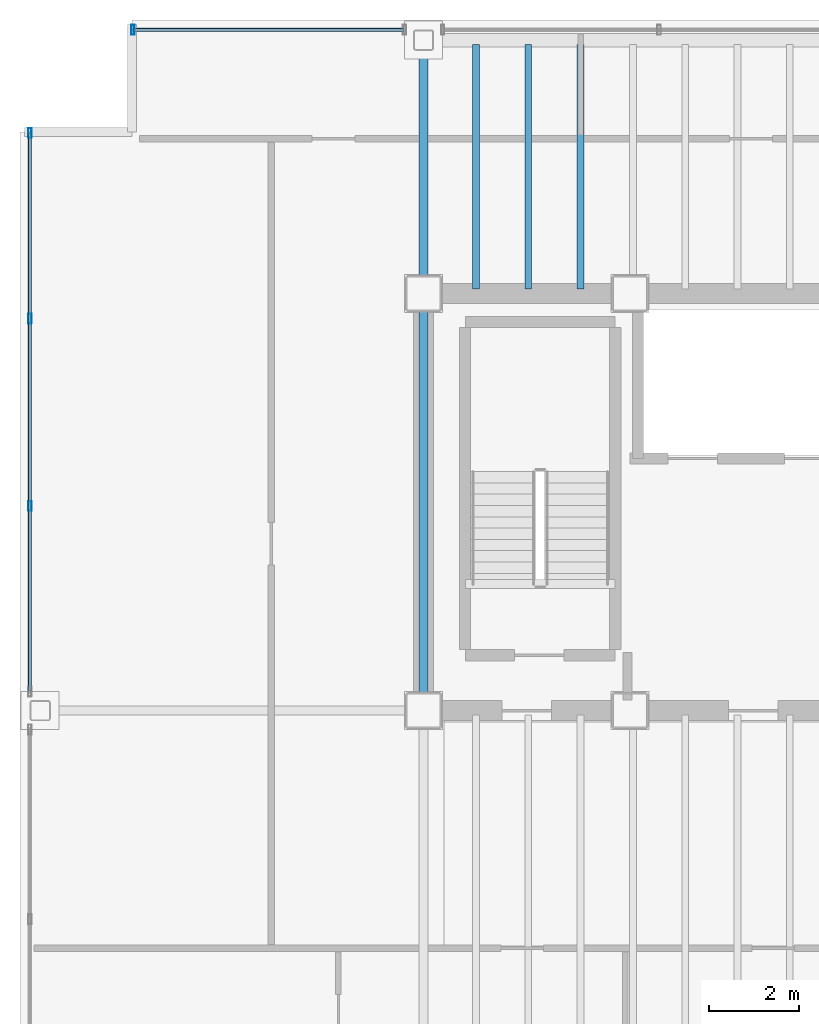
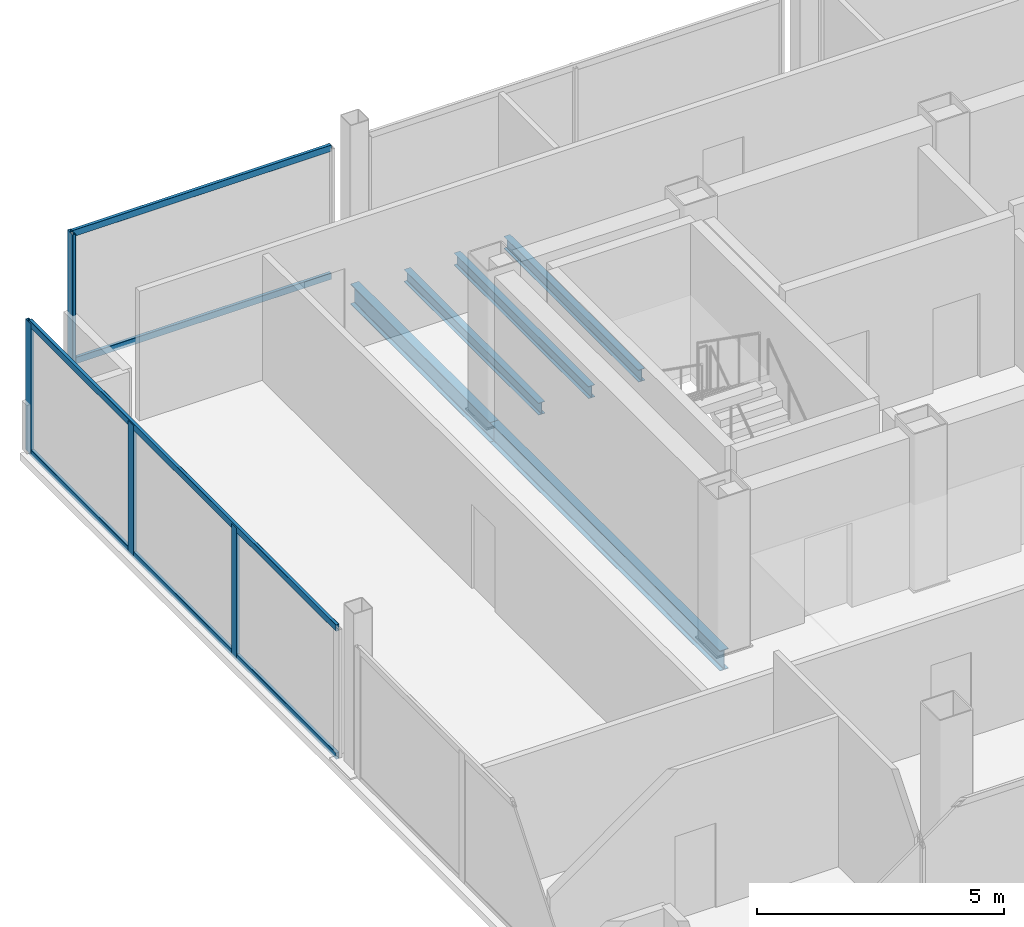
# One storey, part 8 of 17: 8 members, 5 beams, 2 elements without a shape of their own.
"""IFC4 building model written with IfcOpenShell, lengths in metres."""

from ifc_helpers import new_model, si_unit, direction, frame, origin, origin_2d, place, context, subcontext, project, spatial, hollow_rectangle, i_section, extrude, material, material_profile, profile_set, type_object, element, aggregate, save


model = new_model("IFC4")

# Units and contexts
model_context = context("Model", 3, precision=1e-05, world=origin(), true_north=direction((0.0, 1.0)))
body_context = subcontext(model_context, "Body", "Model", "MODEL_VIEW")
ifc_project = project(units=[si_unit("LENGTHUNIT", "METRE"), si_unit("AREAUNIT", "SQUARE_METRE"), si_unit("VOLUMEUNIT", "CUBIC_METRE"), si_unit("PLANEANGLEUNIT", "RADIAN"), si_unit("MASSUNIT", "GRAM", prefix="KILO")], contexts=[model_context])

# Site, building, storey
site_placement = place(None, origin())
site = spatial("IfcSite", under=ifc_project, at=site_placement, CompositionType="ELEMENT")
building_placement = place(site_placement, origin())
building = spatial("IfcBuilding", under=site, at=building_placement, Name="Noeulbin Bourse Tower", CompositionType="ELEMENT")
storey_placement = place(building_placement, frame((0.0, 0.0, 265.699951171875)))
storey = spatial("IfcBuildingStorey", under=building, at=storey_placement, Name="L66", CompositionType="ELEMENT", Elevation=265.699951171875)

# Beams
ifc_material_1 = material(Name="Steel S355", Category="steel")
ifc_material_profile_1 = material_profile(ifc_material_1, i_section(OverallWidth=0.199951171875, OverallDepth=0.5, WebThickness=0.010009765625, FlangeThickness=0.01611328125, FilletRadius=0.02001953125, at=origin_2d()), Name="H-500x200x10x16", Category="LoadBearing")
ifc_profile_set_1 = profile_set([ifc_material_profile_1], Name="Steel S355")
beam_type_1 = type_object("IfcBeamType", Name="BM-GRD-500", PredefinedType="USERDEFINED", material=ifc_profile_set_1)
beam_1_placement = place(storey_placement, frame((13.5, 29.0, -0.429931640625), z_axis=(0.0, 1.0, 0.0), x_axis=(-1.0, 0.0, 0.0)))
element("IfcBeam", 1, at=beam_1_placement, inside=storey, type_object=beam_type_1, Name="Tower Primary Girder NS L66-1.3", ObjectType="GIRDER", PredefinedType="USERDEFINED", context=body_context, shape_type="SweptSolid", body=[
    extrude(i_section(OverallWidth=0.199951171875, OverallDepth=0.5, WebThickness=0.010009765625, FlangeThickness=0.01611328125, FilletRadius=0.02001953125, at=origin_2d()), origin(), (0.0, 0.0, 1.0), 9.300048828125),
])
beam_2_placement = place(storey_placement, frame((13.5, 38.300048828125, -0.429931640625), z_axis=(0.0, 1.0, 0.0), x_axis=(-1.0, 0.0, 0.0)))
element("IfcBeam", 2, at=beam_2_placement, inside=storey, type_object=beam_type_1, Name="Tower Primary Girder NS L66-1.4", ObjectType="GIRDER", PredefinedType="USERDEFINED", context=body_context, shape_type="SweptSolid", body=[
    extrude(i_section(OverallWidth=0.199951171875, OverallDepth=0.5, WebThickness=0.010009765625, FlangeThickness=0.01611328125, FilletRadius=0.02001953125, at=origin_2d()), origin(), (0.0, 0.0, 1.0), 5.64990234375),
])
ifc_material_profile_2 = material_profile(ifc_material_1, i_section(OverallWidth=0.14990234375, OverallDepth=0.300048828125, WebThickness=0.006591796875, FlangeThickness=0.009033203125, FilletRadius=0.012939453125, at=origin_2d()), Name="H-300x150x6.5x9", Category="LoadBearing")
ifc_profile_set_2 = profile_set([ifc_material_profile_2], Name="Steel S355")
beam_type_2 = type_object("IfcBeamType", Name="BM-JST-300", PredefinedType="JOIST", material=ifc_profile_set_2)
for number, where, z_axis, x_axis, name in (
    (3, (14.666748046875, 38.39990234375, -0.329833984375), (0.0, 1.0, 0.0), (-1.0, 0.0, 0.0), "Tower Composite Joist L66-02"),
    (4, (15.833251953125, 38.39990234375, -0.329833984375), (0.0, 1.0, 0.0), (-1.0, 0.0, 0.0), "Tower Composite Joist L66-04"),
    (5, (17.0, 38.39990234375, -0.329833984375), (0.0, 1.0, 0.0), (-1.0, 0.0, 0.0), "Tower Composite Joist L66-06"),
):
    element("IfcBeam", number, at=place(storey_placement, frame(where, z_axis=z_axis, x_axis=x_axis)), inside=storey, type_object=beam_type_2, Name=name, PredefinedType="JOIST", context=body_context, shape_type="SweptSolid", body=[
        extrude(i_section(OverallWidth=0.14990234375, OverallDepth=0.300048828125, WebThickness=0.006591796875, FlangeThickness=0.009033203125, FilletRadius=0.012939453125, at=origin_2d()), origin(), (0.0, 0.0, 1.0), 5.4501953125),
    ])

# Curtain wall, member
ifc_material_2 = material(Name="High-Selectivity Low-Iron Glazing", Category="glass")
curtain_wall_type = type_object("IfcCurtainWallType", Name="CW-SYS-4", PredefinedType="NOTDEFINED", material=ifc_material_2)
curtain_wall_1_placement = place(storey_placement, origin())
curtain_wall_1 = element("IfcCurtainWall", 6, at=curtain_wall_1_placement, inside=storey, type_object=curtain_wall_type, Name="Unitised Curtain Wall CW-L66-N-S1", PredefinedType="NOTDEFINED")
ifc_material_3 = material(Name="Anodised Aluminium 6063-T6", Category="aluminium")
ifc_material_profile_3 = material_profile(ifc_material_3, hollow_rectangle(XDim=0.074951171875, YDim=0.219970703125, WallThickness=0.0048828125, InnerFilletRadius=0.00244140625, OuterFilletRadius=0.0048828125, at=origin_2d()), Name="ALU-MULL-75x220x5", Category="LoadBearing")
ifc_profile_set_3 = profile_set([ifc_material_profile_3], Name="Anodised Aluminium 6063-T6")
member_type_1 = type_object("IfcMemberType", Name="CW-SYS-4-MUL", PredefinedType="MULLION", material=ifc_profile_set_3)
member_1_placement = place(storey_placement, frame((7.02001953125, 44.179931640625, -0.02001953125), z_axis=(0.0, 0.0, 1.0), x_axis=(1.0, 0.0, 0.0)))
member_1 = element("IfcMember", 7, at=member_1_placement, type_object=member_type_1, Name="Curtain Wall Mullion CW-L66-N-S1-M00", PredefinedType="MULLION", context=body_context, shape_type="SweptSolid", body=[
    extrude(hollow_rectangle(XDim=0.074951171875, YDim=0.219970703125, WallThickness=0.0048828125, InnerFilletRadius=0.00244140625, OuterFilletRadius=0.0048828125, at=origin_2d()), origin(), (0.0, 0.0, 1.0), 3.219970703125),
])

# Curtain wall, members
curtain_wall_2_placement = place(storey_placement, origin())
curtain_wall_2 = element("IfcCurtainWall", 8, at=curtain_wall_2_placement, inside=storey, type_object=curtain_wall_type, Name="Unitised Curtain Wall CW-L66-W-S2", PredefinedType="NOTDEFINED")
member_2_placement = place(storey_placement, frame((4.719970703125, 33.563232421875, -0.02001953125), z_axis=(0.0, 0.0, 1.0), x_axis=(1.0, 0.0, 0.0)))
member_2 = element("IfcMember", 9, at=member_2_placement, type_object=member_type_1, Name="Curtain Wall Mullion CW-L66-W-S2-M01", PredefinedType="MULLION", context=body_context, shape_type="SweptSolid", body=[
    extrude(hollow_rectangle(XDim=0.074951171875, YDim=0.219970703125, WallThickness=0.0048828125, InnerFilletRadius=0.00244140625, OuterFilletRadius=0.0048828125, at=origin_2d()), origin(), (0.0, 0.0, 1.0), 3.219970703125),
])
member_3_placement = place(storey_placement, frame((4.719970703125, 37.74169921875, -0.02001953125), z_axis=(0.0, 0.0, 1.0), x_axis=(1.0, 0.0, 0.0)))
member_3 = element("IfcMember", 10, at=member_3_placement, type_object=member_type_1, Name="Curtain Wall Mullion CW-L66-W-S2-M02", PredefinedType="MULLION", context=body_context, shape_type="SweptSolid", body=[
    extrude(hollow_rectangle(XDim=0.074951171875, YDim=0.219970703125, WallThickness=0.0048828125, InnerFilletRadius=0.00244140625, OuterFilletRadius=0.0048828125, at=origin_2d()), origin(), (0.0, 0.0, 1.0), 3.219970703125),
])
member_4_placement = place(storey_placement, frame((4.719970703125, 41.8798828125, -0.02001953125), z_axis=(0.0, 0.0, 1.0), x_axis=(1.0, 0.0, 0.0)))
member_4 = element("IfcMember", 11, at=member_4_placement, type_object=member_type_1, Name="Curtain Wall Mullion CW-L66-W-S2-M03", PredefinedType="MULLION", context=body_context, shape_type="SweptSolid", body=[
    extrude(hollow_rectangle(XDim=0.074951171875, YDim=0.219970703125, WallThickness=0.0048828125, InnerFilletRadius=0.00244140625, OuterFilletRadius=0.0048828125, at=origin_2d()), origin(), (0.0, 0.0, 1.0), 3.219970703125),
])

# Member
ifc_material_profile_4 = material_profile(ifc_material_3, hollow_rectangle(XDim=0.074951171875, YDim=0.159912109375, WallThickness=0.0048828125, InnerFilletRadius=0.00244140625, OuterFilletRadius=0.0048828125, at=origin_2d()), Name="ALU-TRAN-75x160x5", Category="LoadBearing")
ifc_profile_set_4 = profile_set([ifc_material_profile_4], Name="Anodised Aluminium 6063-T6")
member_type_2 = type_object("IfcMemberType", Name="CW-SYS-4-TRN", PredefinedType="USERDEFINED", material=ifc_profile_set_4)
member_5_placement = place(storey_placement, frame((7.030029296875, 44.179931640625, 0.010009765625), z_axis=(1.0, 0.0, 0.0), x_axis=(0.0, 1.0, 0.0)))
member_5 = element("IfcMember", 12, at=member_5_placement, type_object=member_type_2, Name="Curtain Wall Transom CW-L66-N-S1-T00", ObjectType="TRANSOM", PredefinedType="USERDEFINED", context=body_context, shape_type="SweptSolid", body=[
    extrude(hollow_rectangle(XDim=0.074951171875, YDim=0.159912109375, WallThickness=0.0048828125, InnerFilletRadius=0.00244140625, OuterFilletRadius=0.0048828125, at=origin_2d()), origin(), (0.0, 0.0, 1.0), 6.034912109375),
])

member_6_placement = place(storey_placement, frame((7.030029296875, 44.179931640625, 3.170166015625), z_axis=(1.0, 0.0, 0.0), x_axis=(0.0, 1.0, 0.0)))
member_6 = element("IfcMember", 13, at=member_6_placement, type_object=member_type_2, Name="Curtain Wall Transom CW-L66-N-S1-T01", ObjectType="TRANSOM", PredefinedType="USERDEFINED", context=body_context, shape_type="SweptSolid", body=[
    extrude(hollow_rectangle(XDim=0.074951171875, YDim=0.159912109375, WallThickness=0.0048828125, InnerFilletRadius=0.00244140625, OuterFilletRadius=0.0048828125, at=origin_2d()), origin(), (0.0, 0.0, 1.0), 6.034912109375),
])

aggregate(curtain_wall_1, [member_1, member_5, member_6])

member_7_placement = place(storey_placement, frame((4.719970703125, 29.43505859375, 0.010009765625), z_axis=(0.0, 1.0, 0.0), x_axis=(-1.0, 0.0, 0.0)))
member_7 = element("IfcMember", 14, at=member_7_placement, type_object=member_type_2, Name="Curtain Wall Transom CW-L66-W-S2-T00", ObjectType="TRANSOM", PredefinedType="USERDEFINED", context=body_context, shape_type="SweptSolid", body=[
    extrude(hollow_rectangle(XDim=0.074951171875, YDim=0.159912109375, WallThickness=0.0048828125, InnerFilletRadius=0.00244140625, OuterFilletRadius=0.0048828125, at=origin_2d()), origin(), (0.0, 0.0, 1.0), 12.43505859375),
])

member_8_placement = place(storey_placement, frame((4.719970703125, 29.43505859375, 3.170166015625), z_axis=(0.0, 1.0, 0.0), x_axis=(-1.0, 0.0, 0.0)))
member_8 = element("IfcMember", 15, at=member_8_placement, type_object=member_type_2, Name="Curtain Wall Transom CW-L66-W-S2-T01", ObjectType="TRANSOM", PredefinedType="USERDEFINED", context=body_context, shape_type="SweptSolid", body=[
    extrude(hollow_rectangle(XDim=0.074951171875, YDim=0.159912109375, WallThickness=0.0048828125, InnerFilletRadius=0.00244140625, OuterFilletRadius=0.0048828125, at=origin_2d()), origin(), (0.0, 0.0, 1.0), 12.43505859375),
])

aggregate(curtain_wall_2, [member_2, member_3, member_4, member_7, member_8])

save(model, "model.ifc")
